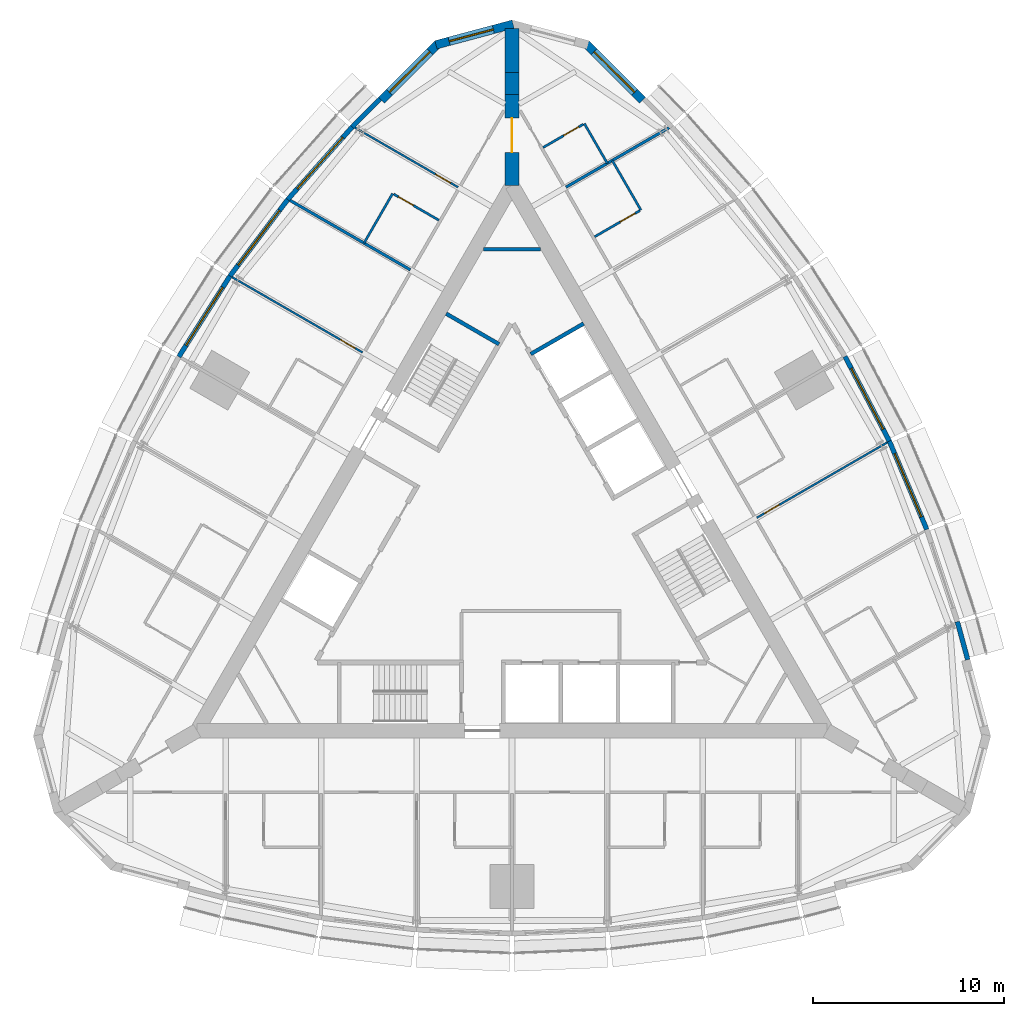
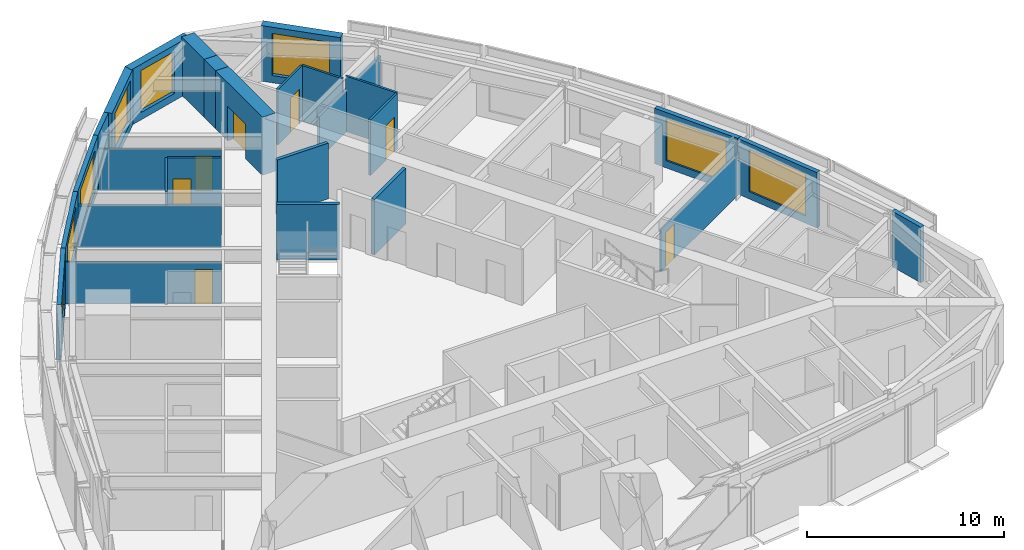
# One storey, part 13 of 15: 27 walls, 8 windows, 7 doors, 15 openings.
"""IFC4 building model written with IfcOpenShell, lengths in metres."""

import ifcopenshell
import ifcopenshell.guid

model = None  # the IFC model being written
_history = None  # IfcOwnerHistory: only IFC2X3 demands one
_inside = {}  # id of a spatial element -> (the spatial element, [elements in it])
_under = {}  # id of a project, library or spatial element -> (it, [spatial elements below it])
_declared = {}  # id of a project -> (the project, [libraries it declares])
_typed = {}  # id of a type object -> (the type object, [elements of that type])
_made_of = {}  # id of a material, layer set ... -> (it, [elements and type objects made of it])


def new_model(schema):
    """Start an empty IFC model of exactly this schema.

    Asked for "IFC4X3", IfcOpenShell would pick the latest addendum, in which some entities
    have other attributes; the version numbers below select the first issue.
    IFC2X3 requires an IfcOwnerHistory on every rooted entity: one is made here for all.
    """
    global model, _history
    if schema == "IFC4X3":
        model = ifcopenshell.file(schema_version=(4, 3, 0, 0))
    else:
        model = ifcopenshell.file(schema=schema)
    _inside.clear()
    _under.clear()
    _declared.clear()
    _typed.clear()
    _made_of.clear()
    _history = None
    if model.schema == "IFC2X3":
        org = make("IfcOrganization", Name="unknown")
        user = make(
            "IfcPersonAndOrganization",
            ThePerson=make("IfcPerson", FamilyName="unknown"),
            TheOrganization=org,
        )
        app = make(
            "IfcApplication",
            ApplicationDeveloper=org,
            Version="unknown",
            ApplicationFullName="unknown",
            ApplicationIdentifier="unknown",
        )
        _history = make(
            "IfcOwnerHistory",
            OwningUser=user,
            OwningApplication=app,
            ChangeAction="ADDED",
            CreationDate=0,
        )
    return model


def make(cls, **values):
    """One entity of the class cls with the attributes given. An attribute that is None is left unset."""
    return model.create_entity(
        cls, **{name: value for name, value in values.items() if value is not None}
    )


def rooted(cls, **values):
    """An entity with a GlobalId (a new one), such as an element, a storey or a relation."""
    return make(cls, GlobalId=ifcopenshell.guid.new(), OwnerHistory=_history, **values)


def si_unit(unit_type, name, prefix=None):
    """IfcSIUnit, for example si_unit("LENGTHUNIT", "METRE", prefix="MILLI")."""
    return make("IfcSIUnit", UnitType=unit_type, Prefix=prefix, Name=name)


def assignment(units):
    """IfcUnitAssignment: the units of a project."""
    return None if units is None else make("IfcUnitAssignment", Units=units)


def point(xyz):
    """IfcCartesianPoint."""
    return None if xyz is None else make("IfcCartesianPoint", Coordinates=xyz)


def direction(xyz):
    """IfcDirection."""
    return None if xyz is None else make("IfcDirection", DirectionRatios=xyz)


def frame(location, z_axis=None, x_axis=None):
    """IfcAxis2Placement3D, a coordinate frame: its origin and axes. An axis left out is left unset."""
    return make(
        "IfcAxis2Placement3D",
        Location=point(location),
        Axis=direction(z_axis),
        RefDirection=direction(x_axis),
    )


def frame_2d(location, x_axis=None):
    """IfcAxis2Placement2D, a coordinate frame in the plane: its origin and x axis."""
    return make(
        "IfcAxis2Placement2D", Location=point(location), RefDirection=direction(x_axis)
    )


def origin():
    """The frame at (0, 0, 0) with its axes left unset."""
    return frame((0.0, 0.0, 0.0))


def place(relative_to, where):
    """IfcLocalPlacement: puts the frame where relative to a parent placement (None: the world)."""
    return make(
        "IfcLocalPlacement", PlacementRelTo=relative_to, RelativePlacement=where
    )


def context(
    kind, dimensions, precision=None, world=None, true_north=None, identifier=None
):
    """IfcGeometricRepresentationContext, for example the 3D "Model" context."""
    return make(
        "IfcGeometricRepresentationContext",
        ContextIdentifier=identifier,
        ContextType=kind,
        CoordinateSpaceDimension=dimensions,
        Precision=precision,
        WorldCoordinateSystem=world,
        TrueNorth=true_north,
    )


def subcontext(parent, identifier, kind, view, scale=None):
    """IfcGeometricRepresentationSubContext, for example "Body" below "Model"."""
    return make(
        "IfcGeometricRepresentationSubContext",
        ContextIdentifier=identifier,
        ContextType=kind,
        ParentContext=parent,
        TargetScale=scale,
        TargetView=view,
    )


def project(units=None, contexts=None):
    """IfcProject with its units and contexts."""
    return rooted(
        "IfcProject",
        Name="project",
        RepresentationContexts=contexts,
        UnitsInContext=assignment(units),
    )


def spatial(cls, under=None, at=None, **own):
    """A site, building, storey or space (cls), placed at a placement, below another one or the project."""
    s = rooted(cls, ObjectPlacement=at, **own)
    if under is not None:
        _under.setdefault(under.id(), (under, []))[1].append(s)
    return s


def polyline(points):
    """IfcPolyline through the points."""
    return make("IfcPolyline", Points=[point(p) for p in points])


def profile(cls, at=None, kind="AREA", **sizes):
    """A parametric profile (cls). Its sizes go by their IFC names, for example OverallWidth=200.0."""
    return make(cls, ProfileType=kind, Position=at, **sizes)


def rectangle(**sizes):
    """IfcRectangleProfileDef."""
    return profile("IfcRectangleProfileDef", **sizes)


def outline(outer, holes=None, kind="AREA"):
    """IfcArbitraryClosedProfileDef: a profile drawn as a closed curve; with holes, ...WithVoids."""
    if holes is None:
        return make("IfcArbitraryClosedProfileDef", ProfileType=kind, OuterCurve=outer)
    return make(
        "IfcArbitraryProfileDefWithVoids",
        ProfileType=kind,
        OuterCurve=outer,
        InnerCurves=holes,
    )


def extrude(swept, where, along, depth):
    """IfcExtrudedAreaSolid: the profile swept, set in the frame where, extruded along a direction by depth."""
    return make(
        "IfcExtrudedAreaSolid",
        SweptArea=swept,
        Position=where,
        ExtrudedDirection=direction(along),
        Depth=depth,
    )


def shape(context_of_items, identifier, shape_type, items):
    """IfcShapeRepresentation: the items that make up one representation, for example the "Body"."""
    return make(
        "IfcShapeRepresentation",
        ContextOfItems=context_of_items,
        RepresentationIdentifier=identifier,
        RepresentationType=shape_type,
        Items=items,
    )


def material(Name=None, Category=None):
    """IfcMaterial."""
    return make("IfcMaterial", Name=Name, Category=Category)


def layer(
    of_material, thickness, ventilated=None, Name=None, Category=None, Priority=None
):
    """IfcMaterialLayer: one layer of a wall or slab, of a material (None: an air gap)."""
    return make(
        "IfcMaterialLayer",
        Material=of_material,
        LayerThickness=thickness,
        IsVentilated=ventilated,
        Name=Name,
        Category=Category,
        Priority=Priority,
    )


def layer_set(layers, Name=None):
    """IfcMaterialLayerSet."""
    return make("IfcMaterialLayerSet", MaterialLayers=layers, LayerSetName=Name)


def made_of(thing, what):
    """Note that an element or type object is made of a material, layer set ...; save() writes the relation."""
    if what is not None:
        _made_of.setdefault(what.id(), (what, []))[1].append(thing)
    return thing


def type_object(cls, material=None, **own):
    """A type object (cls), such as IfcWallType, which elements share."""
    return made_of(rooted(cls, **own), material)


def element(
    cls,
    number,
    at=None,
    inside=None,
    cuts=None,
    type_object=None,
    material=None,
    context=None,
    identifier="Body",
    shape_type=None,
    held_by="IfcProductDefinitionShape",
    body=None,
    shapes=None,
    **own,
):
    """One element of the class cls, such as IfcWall. Its Tag is "e" and its number.

    at: its placement. inside: the storey or other place that contains it. cuts: it is an
    opening in that element (IfcRelVoidsElement). A single representation is given by context,
    identifier, shape_type and body (its items); several are given by shapes. held_by: the class
    of the entity that holds the representations. save() writes the other relations.
    """
    e = rooted(cls, Tag="e%d" % number, ObjectPlacement=at, **own)
    if body is not None:
        shapes = [shape(context, identifier, shape_type, body)]
    if shapes is not None:
        e.Representation = make(held_by, Representations=shapes)
    if inside is not None:
        _inside.setdefault(inside.id(), (inside, []))[1].append(e)
    if cuts is not None:
        rooted(
            "IfcRelVoidsElement", RelatingBuildingElement=cuts, RelatedOpeningElement=e
        )
    if type_object is not None:
        _typed.setdefault(type_object.id(), (type_object, []))[1].append(e)
    return made_of(e, material)


def fill(opening, filler):
    """IfcRelFillsElement: the door or window that sits in an opening."""
    return rooted(
        "IfcRelFillsElement",
        RelatingOpeningElement=opening,
        RelatedBuildingElement=filler,
    )


def aggregate(whole, parts):
    """IfcRelAggregates: a whole, such as a stair, and the parts it consists of."""
    return rooted("IfcRelAggregates", RelatingObject=whole, RelatedObjects=parts)


def save(model, path):
    """Write the relations noted so far, then the file.

    IfcRelAggregates (storeys below a building ...), IfcRelContainedInSpatialStructure (elements
    in a storey), IfcRelDefinesByType, IfcRelAssociatesMaterial and IfcRelDeclares: one each for
    every whole, place, type object, material and project.
    """
    for whole, parts in _under.values():
        aggregate(whole, parts)
    for where, things in _inside.values():
        rooted(
            "IfcRelContainedInSpatialStructure",
            RelatedElements=things,
            RelatingStructure=where,
        )
    for kind, things in _typed.values():
        rooted("IfcRelDefinesByType", RelatedObjects=things, RelatingType=kind)
    for what, things in _made_of.values():
        rooted("IfcRelAssociatesMaterial", RelatedObjects=things, RelatingMaterial=what)
    for by, libraries in _declared.values():
        rooted("IfcRelDeclares", RelatingContext=by, RelatedDefinitions=libraries)
    model.write(path)


model = new_model("IFC4")

# Units and contexts
model_context = context("Model", 3, precision=1e-05, world=origin(), true_north=direction((0.0, 1.0)))
body_context = subcontext(model_context, "Body", "Model", "MODEL_VIEW")
ifc_project = project(units=[si_unit("LENGTHUNIT", "METRE"), si_unit("AREAUNIT", "SQUARE_METRE"), si_unit("VOLUMEUNIT", "CUBIC_METRE"), si_unit("PLANEANGLEUNIT", "RADIAN"), si_unit("MASSUNIT", "GRAM", prefix="KILO")], contexts=[model_context])

# Site, building, storey
site_placement = place(None, origin())
site = spatial("IfcSite", under=ifc_project, at=site_placement, CompositionType="ELEMENT")
building_placement = place(site_placement, origin())
building = spatial("IfcBuilding", under=site, at=building_placement, Name="Trikona Tower", CompositionType="ELEMENT")
storey_placement = place(building_placement, frame((0.0, 0.0, 222.5)))
storey = spatial("IfcBuildingStorey", under=building, at=storey_placement, Name="L59", CompositionType="ELEMENT", Elevation=222.5)

# Wall
ifc_material_1 = material(Name="Metal stud and cement board", Category="gypsum")
ifc_layer_1 = layer(ifc_material_1, 0.1201171875)
ifc_layer_set_1 = layer_set([ifc_layer_1], Name="Bathroom wall 120")
wall_type_1 = type_object("IfcWallType", Name="Bathroom wall 120", PredefinedType="PLUMBINGWALL", material=ifc_layer_set_1)
wall_1_placement = place(storey_placement, frame((6.75341796875, 17.75537109375, 0.0), z_axis=(0.0, 0.0, 1.0), x_axis=(-0.499990139034, 0.866031096941, 0.0)))
element("IfcWall", 1, at=wall_1_placement, inside=storey, type_object=wall_type_1, Name="Bathroom wall 5907.2", PredefinedType="PLUMBINGWALL", context=body_context, shape_type="SweptSolid", body=[
    extrude(rectangle(XDim=3.0, YDim=0.1201171875, at=frame_2d((1.5, 0.0))), origin(), (0.0, 0.0, 1.0), 3.43505859375),
])

# Wall, opening, door
wall_2_placement = place(storey_placement, frame((4.32861328125, 16.35546875, 0.0), z_axis=(0.0, 0.0, 1.0), x_axis=(0.866035715982, 0.499982138324, 0.0)))
wall_2 = element("IfcWall", 2, at=wall_2_placement, inside=storey, type_object=wall_type_1, Name="Bathroom wall 5907.2", PredefinedType="PLUMBINGWALL", context=body_context, shape_type="SweptSolid", body=[
    extrude(rectangle(XDim=2.73974609375, YDim=0.1201171875, at=frame_2d((1.369873046875, 0.0))), origin(), (0.0, 0.0, 1.0), 3.43505859375),
])
opening_1_placement = place(wall_2_placement, frame((1.550048828125, 0.0, 0.0)))
opening_1 = element("IfcOpeningElement", 3, at=opening_1_placement, cuts=wall_2, Name="Opening D2", PredefinedType="OPENING", context=body_context, shape_type="SweptSolid", body=[
    extrude(rectangle(XDim=0.89990234375, YDim=2.1298828125, at=frame_2d((0.449951171875, 1.06494140625))), frame((0.0, 0.070068359375, 0.0), z_axis=(0.0, -1.0, 0.0), x_axis=(1.0, 0.0, 0.0)), (0.0, 0.0, 1.0), 0.14013671875),
])
ifc_material_2 = material(Name="Steel door frame with solid-core timber leaf", Category="steel")
door_type_1 = type_object("IfcDoorType", Name="Bathroom door 900x2130", OperationType="SLIDING_TO_LEFT", PredefinedType="DOOR", material=ifc_material_2)
door_1_placement = place(opening_1_placement, origin())
door_1 = element("IfcDoor", 4, at=door_1_placement, inside=storey, type_object=door_type_1, Name="Bathroom door 5907.2", OperationType="SLIDING_TO_LEFT", OverallHeight=2.1298828125, OverallWidth=0.89990234375, PredefinedType="DOOR", context=body_context, shape_type="SweptSolid", body=[
    extrude(rectangle(XDim=0.89990234375, YDim=2.1298828125, at=frame_2d((0.449951171875, 1.06494140625))), frame((0.0, 0.02490234375, 0.0), z_axis=(0.0, -1.0, 0.0), x_axis=(1.0, 0.0, 0.0)), (0.0, 0.0, 1.0), 0.050048828125),
])
fill(opening_1, door_1)

# Wall
wall_3_placement = place(storey_placement, frame((4.993408203125, 20.20361328125, 0.0), z_axis=(0.0, 0.0, 1.0), x_axis=(-0.500001309137, 0.866024647952, 0.0)))
element("IfcWall", 5, at=wall_3_placement, inside=storey, type_object=wall_type_1, Name="Bathroom wall 5908", PredefinedType="PLUMBINGWALL", context=body_context, shape_type="SweptSolid", body=[
    extrude(rectangle(XDim=2.39990234375, YDim=0.1201171875, at=frame_2d((1.199951171875, 0.0))), origin(), (0.0, 0.0, 1.0), 3.43505859375),
])

# Wall, opening, door
wall_4_placement = place(storey_placement, frame((1.62841796875, 21.031982421875, 0.0), z_axis=(0.0, 0.0, 1.0), x_axis=(0.866048967903, 0.499959183527, 0.0)))
wall_4 = element("IfcWall", 6, at=wall_4_placement, inside=storey, type_object=wall_type_1, Name="Bathroom wall 5908", PredefinedType="PLUMBINGWALL", context=body_context, shape_type="SweptSolid", body=[
    extrude(rectangle(XDim=2.440185546875, YDim=0.1201171875, at=frame_2d((1.22021484375, 0.0))), origin(), (0.0, 0.0, 1.0), 3.43505859375),
])
opening_2_placement = place(wall_4_placement, frame((1.25, 0.0, 0.0)))
opening_2 = element("IfcOpeningElement", 7, at=opening_2_placement, cuts=wall_4, Name="Opening D2", PredefinedType="OPENING", context=body_context, shape_type="SweptSolid", body=[
    extrude(rectangle(XDim=0.89990234375, YDim=2.1298828125, at=frame_2d((0.449951171875, 1.06494140625))), frame((0.0, 0.070068359375, 0.0), z_axis=(0.0, -1.0, 0.0), x_axis=(1.0, 0.0, 0.0)), (0.0, 0.0, 1.0), 0.14013671875),
])
door_2_placement = place(opening_2_placement, origin())
door_2 = element("IfcDoor", 8, at=door_2_placement, inside=storey, type_object=door_type_1, Name="Bathroom door 5908", OperationType="SLIDING_TO_LEFT", OverallHeight=2.1298828125, OverallWidth=0.89990234375, PredefinedType="DOOR", context=body_context, shape_type="SweptSolid", body=[
    extrude(rectangle(XDim=0.89990234375, YDim=2.1298828125, at=frame_2d((0.449951171875, 1.06494140625))), frame((0.0, 0.02490234375, 0.0), z_axis=(0.0, -1.0, 0.0), x_axis=(1.0, 0.0, 0.0)), (0.0, 0.0, 1.0), 0.050048828125),
])
fill(opening_2, door_2)

# Wall
wall_5_placement = place(storey_placement, frame((-6.25341796875, 18.62158203125, 0.0), z_axis=(0.0, 0.0, 1.0), x_axis=(-0.499990139034, -0.866031096941, 0.0)))
element("IfcWall", 9, at=wall_5_placement, inside=storey, type_object=wall_type_1, Name="Bathroom wall 5909.1", PredefinedType="PLUMBINGWALL", context=body_context, shape_type="SweptSolid", body=[
    extrude(rectangle(XDim=3.0, YDim=0.1201171875, at=frame_2d((1.5, 0.0))), origin(), (0.0, 0.0, 1.0), 3.43505859375),
])

# Wall, opening, door
wall_6_placement = place(storey_placement, frame((-3.82861328125, 17.221435546875, 0.0), z_axis=(0.0, 0.0, 1.0), x_axis=(-0.865997131366, 0.500048966069, 0.0)))
wall_6 = element("IfcWall", 10, at=wall_6_placement, inside=storey, type_object=wall_type_1, Name="Bathroom wall 5909.1", PredefinedType="PLUMBINGWALL", context=body_context, shape_type="SweptSolid", body=[
    extrude(rectangle(XDim=2.739990234375, YDim=0.1201171875, at=frame_2d((1.3701171875, 0.0))), origin(), (0.0, 0.0, 1.0), 3.43505859375),
])
opening_3_placement = place(wall_6_placement, frame((1.550048828125, 0.0, 0.0)))
opening_3 = element("IfcOpeningElement", 11, at=opening_3_placement, cuts=wall_6, Name="Opening D2", PredefinedType="OPENING", context=body_context, shape_type="SweptSolid", body=[
    extrude(rectangle(XDim=0.89990234375, YDim=2.1298828125, at=frame_2d((0.449951171875, 1.06494140625))), frame((0.0, 0.070068359375, 0.0), z_axis=(0.0, -1.0, 0.0), x_axis=(1.0, 0.0, 0.0)), (0.0, 0.0, 1.0), 0.14013671875),
])
door_3_placement = place(opening_3_placement, origin())
door_3 = element("IfcDoor", 12, at=door_3_placement, inside=storey, type_object=door_type_1, Name="Bathroom door 5909.1", OperationType="SLIDING_TO_LEFT", OverallHeight=2.1298828125, OverallWidth=0.89990234375, PredefinedType="DOOR", context=body_context, shape_type="SweptSolid", body=[
    extrude(rectangle(XDim=0.89990234375, YDim=2.1298828125, at=frame_2d((0.449951171875, 1.06494140625))), frame((0.0, 0.02490234375, 0.0), z_axis=(0.0, -1.0, 0.0), x_axis=(1.0, 0.0, 0.0)), (0.0, 0.0, 1.0), 0.050048828125),
])
fill(opening_3, door_3)

# Wall, opening, window
ifc_material_3 = material(Name="Brick-faced precast concrete", Category="masonry")
ifc_layer_2 = layer(ifc_material_3, 0.449951171875)
ifc_layer_set_2 = layer_set([ifc_layer_2], Name="Brick-faced corner wall 450")
wall_type_2 = type_object("IfcWallType", Name="Brick-faced corner wall 450", PredefinedType="SOLIDWALL", material=ifc_layer_set_2)
wall_7_placement = place(storey_placement, frame((6.8408203125, 23.51220703125, 0.0), z_axis=(0.0, 0.0, 1.0), x_axis=(-0.707106781187, 0.707106781187, 0.0)))
wall_7 = element("IfcWall", 13, at=wall_7_placement, inside=storey, type_object=wall_type_2, Name="External wall L59-20", PredefinedType="SOLIDWALL", context=body_context, shape_type="SweptSolid", body=[
    extrude(rectangle(XDim=4.183837890625, YDim=0.449951171875, at=frame_2d((2.091796875, 0.0))), origin(), (0.0, 0.0, 1.0), 3.43505859375),
])
opening_4_placement = place(wall_7_placement, frame((0.592041015625, 0.0, 0.449951171875)))
opening_4 = element("IfcOpeningElement", 14, at=opening_4_placement, cuts=wall_7, Name="Opening W3026", PredefinedType="OPENING", context=body_context, shape_type="SweptSolid", body=[
    extrude(rectangle(XDim=3.0, YDim=2.60009765625, at=frame_2d((1.5, 1.300048828125))), frame((0.0, 0.23486328125, 0.0), z_axis=(0.0, -1.0, 0.0), x_axis=(1.0, 0.0, 0.0)), (0.0, 0.0, 1.0), 0.469970703125),
])
ifc_material_4 = material(Name="Aluminium-framed double glazing", Category="aluminium")
window_type_1 = type_object("IfcWindowType", Name="Window 3000x2600", PartitioningType="SINGLE_PANEL", PredefinedType="WINDOW", material=ifc_material_4)
window_1_placement = place(opening_4_placement, origin())
window_1 = element("IfcWindow", 15, at=window_1_placement, inside=storey, type_object=window_type_1, Name="Window 5908", OverallHeight=2.60009765625, OverallWidth=3.0, PartitioningType="SINGLE_PANEL", PredefinedType="WINDOW", context=body_context, shape_type="SweptSolid", body=[
    extrude(rectangle(XDim=3.0, YDim=2.60009765625, at=frame_2d((1.5, 1.300048828125))), frame((0.0, 0.030029296875, 0.0), z_axis=(0.0, -1.0, 0.0), x_axis=(1.0, 0.0, 0.0)), (0.0, 0.0, 1.0), 0.06005859375),
])
fill(opening_4, window_1)

wall_8_placement = place(storey_placement, frame((0.05810546875, 27.49560546875, 0.0), z_axis=(0.0, 0.0, 1.0), x_axis=(-0.965920442324, -0.258839137498, 0.0)))
wall_8 = element("IfcWall", 16, at=wall_8_placement, inside=storey, type_object=wall_type_2, Name="External wall L59-22", PredefinedType="SOLIDWALL", context=body_context, shape_type="SweptSolid", body=[
    extrude(outline(polyline([(4.18408203125, 0.22509765625), (0.5087890625, 0.22509765625), (0.478515625, 0.11279296875), (0.059814453125, 0.22509765625), (0.0, 0.22509765625), (0.0, -0.22509765625), (4.18408203125, -0.22509765625), (4.18408203125, 0.22509765625)])), origin(), (0.0, 0.0, 1.0), 3.43505859375),
])
opening_5_placement = place(wall_8_placement, frame((1.0712890625, 0.0, 0.449951171875)))
opening_5 = element("IfcOpeningElement", 17, at=opening_5_placement, cuts=wall_8, Name="Opening W2426", PredefinedType="OPENING", context=body_context, shape_type="SweptSolid", body=[
    extrude(rectangle(XDim=2.39990234375, YDim=2.60009765625, at=frame_2d((1.199951171875, 1.300048828125))), frame((0.0, 0.23486328125, 0.0), z_axis=(0.0, -1.0, 0.0), x_axis=(1.0, 0.0, 0.0)), (0.0, 0.0, 1.0), 0.469970703125),
])
ifc_material_5 = material(Name="Aluminium-framed double glazing", Category="aluminium")
window_type_2 = type_object("IfcWindowType", Name="Window 2400x2600", PartitioningType="SINGLE_PANEL", PredefinedType="WINDOW", material=ifc_material_5)
window_2_placement = place(opening_5_placement, origin())
window_2 = element("IfcWindow", 18, at=window_2_placement, inside=storey, type_object=window_type_2, Name="Window 5909", OverallHeight=2.60009765625, OverallWidth=2.39990234375, PartitioningType="SINGLE_PANEL", PredefinedType="WINDOW", context=body_context, shape_type="SweptSolid", body=[
    extrude(rectangle(XDim=2.39990234375, YDim=2.60009765625, at=frame_2d((1.199951171875, 1.300048828125))), frame((0.0, 0.030029296875, 0.0), z_axis=(0.0, -1.0, 0.0), x_axis=(1.0, 0.0, 0.0)), (0.0, 0.0, 1.0), 0.06005859375),
])
fill(opening_5, window_2)

wall_9_placement = place(storey_placement, frame((-3.88232421875, 26.470703125, 0.0), z_axis=(0.0, 0.0, 1.0), x_axis=(-0.707106781187, -0.707106781187, 0.0)))
wall_9 = element("IfcWall", 19, at=wall_9_placement, inside=storey, type_object=wall_type_2, Name="External wall L59-23", PredefinedType="SOLIDWALL", context=body_context, shape_type="SweptSolid", body=[
    extrude(rectangle(XDim=4.183837890625, YDim=0.449951171875, at=frame_2d((2.091796875, 0.0))), origin(), (0.0, 0.0, 1.0), 3.43505859375),
])
opening_6_placement = place(wall_9_placement, frame((0.592041015625, 0.0, 0.449951171875)))
opening_6 = element("IfcOpeningElement", 20, at=opening_6_placement, cuts=wall_9, Name="Opening W3026", PredefinedType="OPENING", context=body_context, shape_type="SweptSolid", body=[
    extrude(rectangle(XDim=3.0, YDim=2.60009765625, at=frame_2d((1.5, 1.300048828125))), frame((0.0, 0.23486328125, 0.0), z_axis=(0.0, -1.0, 0.0), x_axis=(1.0, 0.0, 0.0)), (0.0, 0.0, 1.0), 0.469970703125),
])
window_3_placement = place(opening_6_placement, origin())
window_3 = element("IfcWindow", 21, at=window_3_placement, inside=storey, type_object=window_type_1, Name="Window 5909", OverallHeight=2.60009765625, OverallWidth=3.0, PartitioningType="SINGLE_PANEL", PredefinedType="WINDOW", context=body_context, shape_type="SweptSolid", body=[
    extrude(rectangle(XDim=3.0, YDim=2.60009765625, at=frame_2d((1.5, 1.300048828125))), frame((0.0, 0.030029296875, 0.0), z_axis=(0.0, -1.0, 0.0), x_axis=(1.0, 0.0, 0.0)), (0.0, 0.0, 1.0), 0.06005859375),
])
fill(opening_6, window_3)

# Wall, opening, door
ifc_material_6 = material(Name="Concrete f'c 10000 psi", Category="concrete")
ifc_layer_3 = layer(ifc_material_6, 0.75)
ifc_layer_set_3 = layer_set([ifc_layer_3], Name="Buttress wall 750")
wall_type_3 = type_object("IfcWallType", Name="Buttress wall 750", PredefinedType="SHEAR", material=ifc_layer_set_3)
wall_10_placement = place(storey_placement, frame((0.0, 19.052490234375, 0.0), z_axis=(0.0, 0.0, 1.0), x_axis=(0.0, 1.0, 0.0)))
wall_10 = element("IfcWall", 22, at=wall_10_placement, inside=storey, type_object=wall_type_3, Name="Buttress wall 2", PredefinedType="SHEAR", context=body_context, shape_type="SweptSolid", body=[
    extrude(rectangle(XDim=4.74609375, YDim=0.75, at=frame_2d((2.373046875, 0.0))), origin(), (0.0, 0.0, 1.0), 3.60009765625),
])
opening_7_placement = place(wall_10_placement, frame((1.72509765625, 0.0, 0.0)))
opening_7 = element("IfcOpeningElement", 23, at=opening_7_placement, cuts=wall_10, Name="Opening D10", PredefinedType="OPENING", context=body_context, shape_type="SweptSolid", body=[
    extrude(rectangle(XDim=1.800048828125, YDim=2.1298828125, at=frame_2d((0.89990234375, 1.06494140625))), frame((0.0, 0.385009765625, 0.0), z_axis=(0.0, -1.0, 0.0), x_axis=(1.0, 0.0, 0.0)), (0.0, 0.0, 1.0), 0.77001953125),
])
ifc_material_7 = material(Name="Hollow metal door and frame", Category="steel")
door_type_2 = type_object("IfcDoorType", Name="Cross-corridor door pair 1800x2130", OperationType="DOUBLE_DOOR_DOUBLE_SWING", PredefinedType="DOOR", material=ifc_material_7)
door_4_placement = place(opening_7_placement, origin())
door_4 = element("IfcDoor", 24, at=door_4_placement, inside=storey, type_object=door_type_2, Name="Cross-corridor door 2", OperationType="DOUBLE_DOOR_DOUBLE_SWING", OverallHeight=2.1298828125, OverallWidth=1.800048828125, PredefinedType="DOOR", context=body_context, shape_type="SweptSolid", body=[
    extrude(rectangle(XDim=1.800048828125, YDim=2.1298828125, at=frame_2d((0.89990234375, 1.06494140625))), frame((0.0, 0.02490234375, 0.0), z_axis=(0.0, -1.0, 0.0), x_axis=(1.0, 0.0, 0.0)), (0.0, 0.0, 1.0), 0.050048828125),
])
fill(opening_7, door_4)

# Walls
wall_11_placement = place(storey_placement, frame((0.0, 23.798583984375, 0.0), z_axis=(0.0, 0.0, 1.0), x_axis=(0.0, 1.0, 0.0)))
element("IfcWall", 25, at=wall_11_placement, inside=storey, type_object=wall_type_3, Name="Buttress wall 2 part 2", PredefinedType="SHEAR", context=body_context, shape_type="SweptSolid", body=[
    extrude(rectangle(XDim=1.15478515625, YDim=0.75, at=frame_2d((0.577392578125, 0.0))), origin(), (0.0, 0.0, 1.0), 3.60009765625),
])
wall_12_placement = place(storey_placement, frame((0.0, 24.953369140625, 0.0), z_axis=(0.0, 0.0, 1.0), x_axis=(0.0, 1.0, 0.0)))
element("IfcWall", 26, at=wall_12_placement, inside=storey, type_object=wall_type_3, Name="Buttress wall 2 part 3", PredefinedType="SHEAR", context=body_context, shape_type="SweptSolid", body=[
    extrude(rectangle(XDim=2.309326171875, YDim=0.75, at=frame_2d((1.15478515625, 0.0))), origin(), (0.0, 0.0, 1.0), 3.60009765625),
])
ifc_material_8 = material(Name="Insulated precast concrete spandrel panel", Category="concrete")
ifc_layer_4 = layer(ifc_material_8, 0.25)
ifc_layer_set_4 = layer_set([ifc_layer_4], Name="Inner skin wall 250")
wall_type_4 = type_object("IfcWallType", Name="Inner skin wall 250", PredefinedType="STANDARD", material=ifc_layer_set_4)
wall_13_placement = place(storey_placement, frame((23.87939453125, -5.806396484375, 0.0), z_axis=(0.0, 0.0, 1.0), x_axis=(-0.262867703986, 0.964831887015, 0.0)))
element("IfcWall", 27, at=wall_13_placement, inside=storey, type_object=wall_type_4, Name="External wall L59-12", PredefinedType="STANDARD", context=body_context, shape_type="SweptSolid", body=[
    extrude(rectangle(XDim=2.068359375, YDim=0.25, at=frame_2d((1.0341796875, 0.0))), origin(), (0.0, 0.0, 1.0), 3.43505859375),
])

# Wall, opening, window
wall_14_placement = place(storey_placement, frame((21.73291015625, 1.01806640625, 0.0), z_axis=(0.0, 0.0, 1.0), x_axis=(-0.390096809471, 0.920773848044, 0.0)))
wall_14 = element("IfcWall", 28, at=wall_14_placement, inside=storey, type_object=wall_type_4, Name="External wall L59-14", PredefinedType="STANDARD", context=body_context, shape_type="SweptSolid", body=[
    extrude(rectangle(XDim=5.0380859375, YDim=0.25, at=frame_2d((2.51904296875, 0.0))), origin(), (0.0, 0.0, 1.0), 3.43505859375),
])
opening_8_placement = place(wall_14_placement, frame((0.718994140625, 0.0, 0.449951171875)))
opening_8 = element("IfcOpeningElement", 29, at=opening_8_placement, cuts=wall_14, Name="Opening W3626", PredefinedType="OPENING", context=body_context, shape_type="SweptSolid", body=[
    extrude(rectangle(XDim=3.60009765625, YDim=2.60009765625, at=frame_2d((1.800048828125, 1.300048828125))), frame((0.0, 0.135009765625, 0.0), z_axis=(0.0, -1.0, 0.0), x_axis=(1.0, 0.0, 0.0)), (0.0, 0.0, 1.0), 0.27001953125),
])
ifc_material_9 = material(Name="Aluminium-framed double glazing", Category="aluminium")
window_type_3 = type_object("IfcWindowType", Name="Window 3600x2600", PartitioningType="SINGLE_PANEL", PredefinedType="WINDOW", material=ifc_material_9)
window_4_placement = place(opening_8_placement, origin())
window_4 = element("IfcWindow", 30, at=window_4_placement, inside=storey, type_object=window_type_3, Name="Window 5906", OverallHeight=2.60009765625, OverallWidth=3.60009765625, PartitioningType="SINGLE_PANEL", PredefinedType="WINDOW", context=body_context, shape_type="SweptSolid", body=[
    extrude(rectangle(XDim=3.60009765625, YDim=2.60009765625, at=frame_2d((1.800048828125, 1.300048828125))), frame((0.0, 0.030029296875, 0.0), z_axis=(0.0, -1.0, 0.0), x_axis=(1.0, 0.0, 0.0)), (0.0, 0.0, 1.0), 0.06005859375),
])
fill(opening_8, window_4)

wall_15_placement = place(storey_placement, frame((19.772216796875, 5.64794921875, 0.0), z_axis=(0.0, 0.0, 1.0), x_axis=(-0.463976002579, 0.885847768542, 0.0)))
wall_15 = element("IfcWall", 31, at=wall_15_placement, inside=storey, type_object=wall_type_4, Name="External wall L59-15", PredefinedType="STANDARD", context=body_context, shape_type="SweptSolid", body=[
    extrude(rectangle(XDim=5.004150390625, YDim=0.25, at=frame_2d((2.501953125, 0.0))), origin(), (0.0, 0.0, 1.0), 3.43505859375),
])
opening_9_placement = place(wall_15_placement, frame((0.7021484375, 0.0, 0.449951171875)))
opening_9 = element("IfcOpeningElement", 32, at=opening_9_placement, cuts=wall_15, Name="Opening W3626", PredefinedType="OPENING", context=body_context, shape_type="SweptSolid", body=[
    extrude(rectangle(XDim=3.60009765625, YDim=2.60009765625, at=frame_2d((1.800048828125, 1.300048828125))), frame((0.0, 0.135009765625, 0.0), z_axis=(0.0, -1.0, 0.0), x_axis=(1.0, 0.0, 0.0)), (0.0, 0.0, 1.0), 0.27001953125),
])
window_5_placement = place(opening_9_placement, origin())
window_5 = element("IfcWindow", 33, at=window_5_placement, inside=storey, type_object=window_type_3, Name="Window 5906.2", OverallHeight=2.60009765625, OverallWidth=3.60009765625, PartitioningType="SINGLE_PANEL", PredefinedType="WINDOW", context=body_context, shape_type="SweptSolid", body=[
    extrude(rectangle(XDim=3.60009765625, YDim=2.60009765625, at=frame_2d((1.800048828125, 1.300048828125))), frame((0.0, 0.030029296875, 0.0), z_axis=(0.0, -1.0, 0.0), x_axis=(1.0, 0.0, 0.0)), (0.0, 0.0, 1.0), 0.06005859375),
])
fill(opening_9, window_5)

# Wall
wall_16_placement = place(storey_placement, frame((-6.9111328125, 23.58349609375, 0.0), z_axis=(0.0, 0.0, 1.0), x_axis=(-0.704149946111, -0.710051303352, 0.0)))
element("IfcWall", 34, at=wall_16_placement, inside=storey, type_object=wall_type_4, Name="External wall L59-24", PredefinedType="STANDARD", context=body_context, shape_type="SweptSolid", body=[
    extrude(rectangle(XDim=2.068603515625, YDim=0.25, at=frame_2d((1.0341796875, 0.0))), origin(), (0.0, 0.0, 1.0), 3.43505859375),
])

# Wall, opening, window
wall_17_placement = place(storey_placement, frame((-8.363037109375, 22.119873046875, 0.0), z_axis=(0.0, 0.0, 1.0), x_axis=(-0.664348996191, -0.747422511876, 0.0)))
wall_17 = element("IfcWall", 35, at=wall_17_placement, inside=storey, type_object=wall_type_4, Name="External wall L59-25", PredefinedType="STANDARD", context=body_context, shape_type="SweptSolid", body=[
    extrude(rectangle(XDim=5.104736328125, YDim=0.25, at=frame_2d((2.55224609375, 0.0))), origin(), (0.0, 0.0, 1.0), 3.43505859375),
])
opening_10_placement = place(wall_17_placement, frame((0.75244140625, 0.0, 0.449951171875)))
opening_10 = element("IfcOpeningElement", 36, at=opening_10_placement, cuts=wall_17, Name="Opening W3626", PredefinedType="OPENING", context=body_context, shape_type="SweptSolid", body=[
    extrude(rectangle(XDim=3.60009765625, YDim=2.60009765625, at=frame_2d((1.800048828125, 1.300048828125))), frame((0.0, 0.135009765625, 0.0), z_axis=(0.0, -1.0, 0.0), x_axis=(1.0, 0.0, 0.0)), (0.0, 0.0, 1.0), 0.27001953125),
])
window_6_placement = place(opening_10_placement, origin())
window_6 = element("IfcWindow", 37, at=window_6_placement, inside=storey, type_object=window_type_3, Name="Window 5909.1", OverallHeight=2.60009765625, OverallWidth=3.60009765625, PartitioningType="SINGLE_PANEL", PredefinedType="WINDOW", context=body_context, shape_type="SweptSolid", body=[
    extrude(rectangle(XDim=3.60009765625, YDim=2.60009765625, at=frame_2d((1.800048828125, 1.300048828125))), frame((0.0, 0.030029296875, 0.0), z_axis=(0.0, -1.0, 0.0), x_axis=(1.0, 0.0, 0.0)), (0.0, 0.0, 1.0), 0.06005859375),
])
fill(opening_10, window_6)

wall_18_placement = place(storey_placement, frame((-11.748046875, 18.31201171875, 0.0), z_axis=(0.0, 0.0, 1.0), x_axis=(-0.602408653511, -0.798187831388, 0.0)))
wall_18 = element("IfcWall", 38, at=wall_18_placement, inside=storey, type_object=wall_type_4, Name="External wall L59-26", PredefinedType="STANDARD", context=body_context, shape_type="SweptSolid", body=[
    extrude(rectangle(XDim=5.037841796875, YDim=0.25, at=frame_2d((2.51904296875, 0.0))), origin(), (0.0, 0.0, 1.0), 3.43505859375),
])
opening_11_placement = place(wall_18_placement, frame((0.718994140625, 0.0, 0.449951171875)))
opening_11 = element("IfcOpeningElement", 39, at=opening_11_placement, cuts=wall_18, Name="Opening W3626", PredefinedType="OPENING", context=body_context, shape_type="SweptSolid", body=[
    extrude(rectangle(XDim=3.60009765625, YDim=2.60009765625, at=frame_2d((1.800048828125, 1.300048828125))), frame((0.0, 0.135009765625, 0.0), z_axis=(0.0, -1.0, 0.0), x_axis=(1.0, 0.0, 0.0)), (0.0, 0.0, 1.0), 0.27001953125),
])
window_7_placement = place(opening_11_placement, origin())
window_7 = element("IfcWindow", 40, at=window_7_placement, inside=storey, type_object=window_type_3, Name="Window 5910", OverallHeight=2.60009765625, OverallWidth=3.60009765625, PartitioningType="SINGLE_PANEL", PredefinedType="WINDOW", context=body_context, shape_type="SweptSolid", body=[
    extrude(rectangle(XDim=3.60009765625, YDim=2.60009765625, at=frame_2d((1.800048828125, 1.300048828125))), frame((0.0, 0.030029296875, 0.0), z_axis=(0.0, -1.0, 0.0), x_axis=(1.0, 0.0, 0.0)), (0.0, 0.0, 1.0), 0.06005859375),
])
fill(opening_11, window_7)

wall_19_placement = place(storey_placement, frame((-14.777099609375, 14.29931640625, 0.0), z_axis=(0.0, 0.0, 1.0), x_axis=(-0.535220361449, -0.844712474568, 0.0)))
wall_19 = element("IfcWall", 41, at=wall_19_placement, inside=storey, type_object=wall_type_4, Name="External wall L59-27", PredefinedType="STANDARD", context=body_context, shape_type="SweptSolid", body=[
    extrude(rectangle(XDim=5.00439453125, YDim=0.25, at=frame_2d((2.502197265625, 0.0))), origin(), (0.0, 0.0, 1.0), 3.43505859375),
])
opening_12_placement = place(wall_19_placement, frame((0.7021484375, 0.0, 0.449951171875)))
opening_12 = element("IfcOpeningElement", 42, at=opening_12_placement, cuts=wall_19, Name="Opening W3626", PredefinedType="OPENING", context=body_context, shape_type="SweptSolid", body=[
    extrude(rectangle(XDim=3.60009765625, YDim=2.60009765625, at=frame_2d((1.800048828125, 1.300048828125))), frame((0.0, 0.135009765625, 0.0), z_axis=(0.0, -1.0, 0.0), x_axis=(1.0, 0.0, 0.0)), (0.0, 0.0, 1.0), 0.27001953125),
])
window_8_placement = place(opening_12_placement, origin())
window_8 = element("IfcWindow", 43, at=window_8_placement, inside=storey, type_object=window_type_3, Name="Window 5910.1", OverallHeight=2.60009765625, OverallWidth=3.60009765625, PartitioningType="SINGLE_PANEL", PredefinedType="WINDOW", context=body_context, shape_type="SweptSolid", body=[
    extrude(rectangle(XDim=3.60009765625, YDim=2.60009765625, at=frame_2d((1.800048828125, 1.300048828125))), frame((0.0, 0.030029296875, 0.0), z_axis=(0.0, -1.0, 0.0), x_axis=(1.0, 0.0, 0.0)), (0.0, 0.0, 1.0), 0.06005859375),
])
fill(opening_12, window_8)

# Walls
ifc_material_10 = material(Name="Metal stud and gypsum board, 1-hour acoustic", Category="gypsum")
ifc_layer_5 = layer(ifc_material_10, 0.14990234375)
ifc_layer_set_5 = layer_set([ifc_layer_5], Name="Party wall 150")
wall_type_5 = type_object("IfcWallType", Name="Party wall 150", PredefinedType="PARTITIONING", material=ifc_layer_set_5)
wall_20_placement = place(storey_placement, frame((2.82861328125, 18.95361328125, 0.0), z_axis=(0.0, 0.0, 1.0), x_axis=(0.866026604282, 0.499997920671, 0.0)))
element("IfcWall", 44, at=wall_20_placement, inside=storey, type_object=wall_type_5, Name="Partition L59 F2 u15", PredefinedType="PARTITIONING", context=body_context, shape_type="SweptSolid", body=[
    extrude(rectangle(XDim=6.23974609375, YDim=0.14990234375, at=frame_2d((3.119873046875, 0.0))), origin(), (0.0, 0.0, 1.0), 2.589111328125),
])
wall_21_placement = place(storey_placement, frame((-5.32861328125, 14.623291015625, 0.0), z_axis=(0.0, 0.0, 1.0), x_axis=(-0.866017877653, 0.500013035415, 0.0)))
element("IfcWall", 45, at=wall_21_placement, inside=storey, type_object=wall_type_5, Name="Partition L59 F3 u-10", PredefinedType="PARTITIONING", context=body_context, shape_type="SweptSolid", body=[
    extrude(rectangle(XDim=7.272705078125, YDim=0.14990234375, at=frame_2d((3.63623046875, 0.0))), origin(), (0.0, 0.0, 1.0), 2.589111328125),
])
ifc_material_11 = material(Name="Concrete f'c 8000 psi", Category="concrete")
ifc_layer_6 = layer(ifc_material_11, 0.199951171875)
ifc_layer_set_6 = layer_set([ifc_layer_6], Name="Shaft wall 200")
wall_type_6 = type_object("IfcWallType", Name="Shaft wall 200", PredefinedType="SOLIDWALL", material=ifc_layer_set_6)
wall_22_placement = place(storey_placement, frame((0.97900390625, 10.20703125, 0.0), z_axis=(0.0, 0.0, 1.0), x_axis=(0.866042017984, 0.499971222258, 0.0)))
element("IfcWall", 46, at=wall_22_placement, inside=storey, type_object=wall_type_6, Name="Shaft wall B6", PredefinedType="SOLIDWALL", context=body_context, shape_type="SweptSolid", body=[
    extrude(rectangle(XDim=3.199951171875, YDim=0.199951171875, at=frame_2d((1.60009765625, 0.0))), origin(), (0.0, 0.0, 1.0), 3.43505859375),
])
wall_23_placement = place(storey_placement, frame((-1.501220703125, 15.70263671875, 0.0), z_axis=(0.0, 0.0, 1.0), x_axis=(1.0, 0.0, 0.0)))
element("IfcWall", 47, at=wall_23_placement, inside=storey, type_object=wall_type_6, Name="Riser wall L59-RS2", PredefinedType="SOLIDWALL", context=body_context, shape_type="SweptSolid", body=[
    extrude(rectangle(XDim=3.00244140625, YDim=0.199951171875, at=frame_2d((1.501220703125, 0.0))), origin(), (0.0, 0.0, 1.0), 3.43505859375),
])
ifc_material_12 = material(Name="Concrete f'c 8000 psi", Category="concrete")
ifc_layer_7 = layer(ifc_material_12, 0.199951171875)
ifc_layer_set_7 = layer_set([ifc_layer_7], Name="Shaft wall 200 load-bearing")
wall_type_7 = type_object("IfcWallType", Name="Shaft wall 200 load-bearing", PredefinedType="SOLIDWALL", material=ifc_layer_set_7)
wall_24_placement = place(storey_placement, frame((-0.678955078125, 10.7265625, 0.0), z_axis=(0.0, 0.0, 1.0), x_axis=(-0.866008981251, 0.500028443584, 0.0)))
element("IfcWall", 48, at=wall_24_placement, inside=storey, type_object=wall_type_7, Name="Shaft wall C1", PredefinedType="SOLIDWALL", context=body_context, shape_type="SweptSolid", body=[
    extrude(rectangle(XDim=3.199951171875, YDim=0.199951171875, at=frame_2d((1.60009765625, 0.0))), origin(), (0.0, 0.0, 1.0), 3.43505859375),
])

# Wall, opening, door
ifc_material_13 = material(Name="Metal stud and gypsum board, acoustic", Category="gypsum")
ifc_layer_8 = layer(ifc_material_13, 0.10009765625)
ifc_layer_set_8 = layer_set([ifc_layer_8], Name="Suite partition 100")
wall_type_8 = type_object("IfcWallType", Name="Suite partition 100", PredefinedType="PARTITIONING", material=ifc_layer_set_8)
wall_25_placement = place(storey_placement, frame((12.82861328125, 1.633056640625, 0.0), z_axis=(0.0, 0.0, 1.0), x_axis=(0.866030558329, 0.49999107196, 0.0)))
wall_25 = element("IfcWall", 49, at=wall_25_placement, inside=storey, type_object=wall_type_8, Name="Suite partition L59 F2 u-5", PredefinedType="PARTITIONING", context=body_context, shape_type="SweptSolid", body=[
    extrude(rectangle(XDim=7.893798828125, YDim=0.10009765625, at=frame_2d((3.94677734375, 0.0))), origin(), (0.0, 0.0, 1.0), 2.589111328125),
])
opening_13_placement = place(wall_25_placement, frame((0.449951171875, 0.0, 0.0)))
opening_13 = element("IfcOpeningElement", 50, at=opening_13_placement, cuts=wall_25, Name="Opening D13", PredefinedType="OPENING", context=body_context, shape_type="SweptSolid", body=[
    extrude(rectangle(XDim=0.89990234375, YDim=2.1298828125, at=frame_2d((0.449951171875, 1.06494140625))), frame((0.0, 0.06005859375, 0.0), z_axis=(0.0, -1.0, 0.0), x_axis=(1.0, 0.0, 0.0)), (0.0, 0.0, 1.0), 0.1201171875),
])
ifc_material_14 = material(Name="Steel door frame with solid-core timber leaf", Category="steel")
door_type_3 = type_object("IfcDoorType", Name="Suite door 900x2130", OperationType="SINGLE_SWING_LEFT", PredefinedType="DOOR", material=ifc_material_14)
door_5_placement = place(opening_13_placement, origin())
door_5 = element("IfcDoor", 51, at=door_5_placement, inside=storey, type_object=door_type_3, Name="Suite door 5906", OperationType="SINGLE_SWING_LEFT", OverallHeight=2.1298828125, OverallWidth=0.89990234375, PredefinedType="DOOR", context=body_context, shape_type="SweptSolid", body=[
    extrude(rectangle(XDim=0.89990234375, YDim=2.1298828125, at=frame_2d((0.449951171875, 1.06494140625))), frame((0.0, 0.02490234375, 0.0), z_axis=(0.0, -1.0, 0.0), x_axis=(1.0, 0.0, 0.0)), (0.0, 0.0, 1.0), 0.050048828125),
])
fill(opening_13, door_5)

wall_26_placement = place(storey_placement, frame((-2.82861328125, 18.95361328125, 0.0), z_axis=(0.0, 0.0, 1.0), x_axis=(-0.866026604282, 0.499997920671, 0.0)))
wall_26 = element("IfcWall", 52, at=wall_26_placement, inside=storey, type_object=wall_type_8, Name="Suite partition L59 F3 u-15", PredefinedType="PARTITIONING", context=body_context, shape_type="SweptSolid", body=[
    extrude(rectangle(XDim=6.23974609375, YDim=0.10009765625, at=frame_2d((3.119873046875, 0.0))), origin(), (0.0, 0.0, 1.0), 2.589111328125),
])
opening_14_placement = place(wall_26_placement, frame((0.449951171875, 0.0, 0.0)))
opening_14 = element("IfcOpeningElement", 53, at=opening_14_placement, cuts=wall_26, Name="Opening D13", PredefinedType="OPENING", context=body_context, shape_type="SweptSolid", body=[
    extrude(rectangle(XDim=0.89990234375, YDim=2.1298828125, at=frame_2d((0.449951171875, 1.06494140625))), frame((0.0, 0.06005859375, 0.0), z_axis=(0.0, -1.0, 0.0), x_axis=(1.0, 0.0, 0.0)), (0.0, 0.0, 1.0), 0.1201171875),
])
door_6_placement = place(opening_14_placement, origin())
door_6 = element("IfcDoor", 54, at=door_6_placement, inside=storey, type_object=door_type_3, Name="Suite door 5909", OperationType="SINGLE_SWING_LEFT", OverallHeight=2.1298828125, OverallWidth=0.89990234375, PredefinedType="DOOR", context=body_context, shape_type="SweptSolid", body=[
    extrude(rectangle(XDim=0.89990234375, YDim=2.1298828125, at=frame_2d((0.449951171875, 1.06494140625))), frame((0.0, 0.02490234375, 0.0), z_axis=(0.0, -1.0, 0.0), x_axis=(1.0, 0.0, 0.0)), (0.0, 0.0, 1.0), 0.050048828125),
])
fill(opening_14, door_6)

wall_27_placement = place(storey_placement, frame((-7.82861328125, 10.293212890625, 0.0), z_axis=(0.0, 0.0, 1.0), x_axis=(-0.866030558329, 0.49999107196, 0.0)))
wall_27 = element("IfcWall", 55, at=wall_27_placement, inside=storey, type_object=wall_type_8, Name="Suite partition L59 F3 u-5", PredefinedType="PARTITIONING", context=body_context, shape_type="SweptSolid", body=[
    extrude(rectangle(XDim=7.893798828125, YDim=0.10009765625, at=frame_2d((3.94677734375, 0.0))), origin(), (0.0, 0.0, 1.0), 2.589111328125),
])
opening_15_placement = place(wall_27_placement, frame((0.449951171875, 0.0, 0.0)))
opening_15 = element("IfcOpeningElement", 56, at=opening_15_placement, cuts=wall_27, Name="Opening D13", PredefinedType="OPENING", context=body_context, shape_type="SweptSolid", body=[
    extrude(rectangle(XDim=0.89990234375, YDim=2.1298828125, at=frame_2d((0.449951171875, 1.06494140625))), frame((0.0, 0.06005859375, 0.0), z_axis=(0.0, -1.0, 0.0), x_axis=(1.0, 0.0, 0.0)), (0.0, 0.0, 1.0), 0.1201171875),
])
door_7_placement = place(opening_15_placement, origin())
door_7 = element("IfcDoor", 57, at=door_7_placement, inside=storey, type_object=door_type_3, Name="Suite door 5910", OperationType="SINGLE_SWING_LEFT", OverallHeight=2.1298828125, OverallWidth=0.89990234375, PredefinedType="DOOR", context=body_context, shape_type="SweptSolid", body=[
    extrude(rectangle(XDim=0.89990234375, YDim=2.1298828125, at=frame_2d((0.449951171875, 1.06494140625))), frame((0.0, 0.02490234375, 0.0), z_axis=(0.0, -1.0, 0.0), x_axis=(1.0, 0.0, 0.0)), (0.0, 0.0, 1.0), 0.050048828125),
])
fill(opening_15, door_7)

save(model, "model.ifc")
